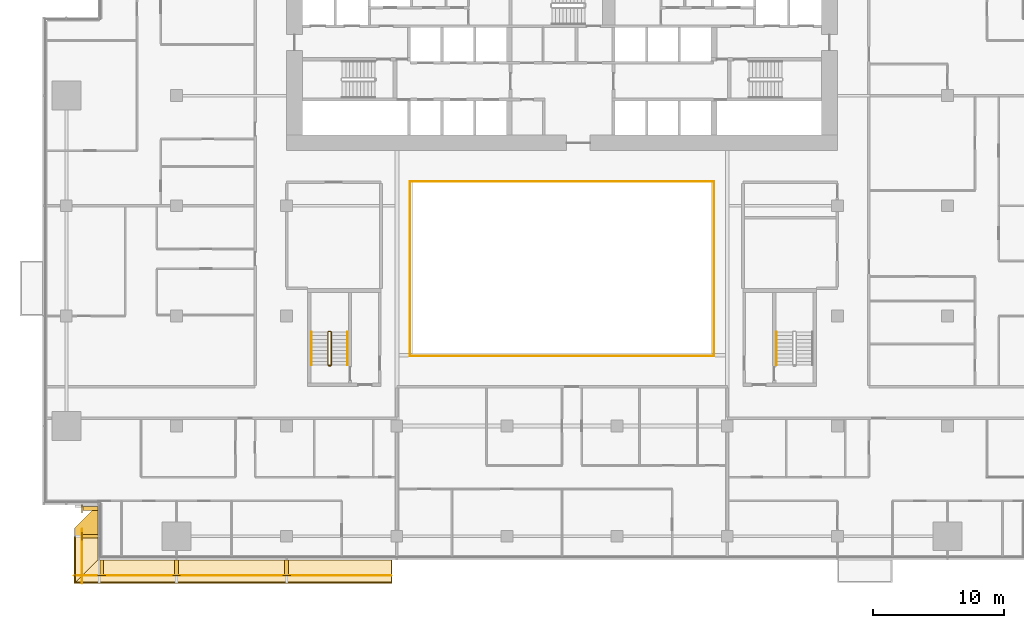
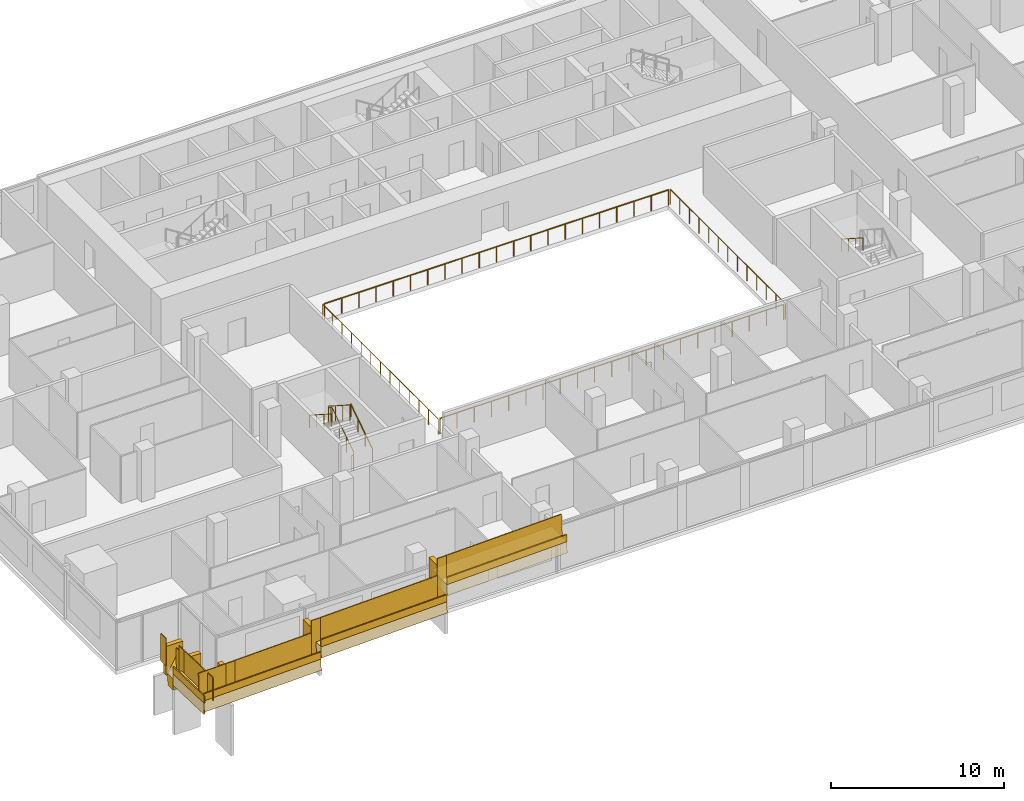
# One storey, part 25 of 29: 18 railings, 14 coverings.
"""IFC4 building model written with IfcOpenShell, lengths in metres."""

from ifc_helpers import new_model, si_unit, direction, frame, origin, origin_2d, place, context, subcontext, project, spatial, polyline, rectangle, circle, outline, extrude, material, layer, layer_set, type_object, element, save


model = new_model("IFC4")

# Units and contexts
model_context = context("Model", 3, precision=1e-05, world=origin(), true_north=direction((0.0, 1.0)))
body_context = subcontext(model_context, "Body", "Model", "MODEL_VIEW")
ifc_project = project(units=[si_unit("LENGTHUNIT", "METRE"), si_unit("AREAUNIT", "SQUARE_METRE"), si_unit("VOLUMEUNIT", "CUBIC_METRE"), si_unit("PLANEANGLEUNIT", "RADIAN"), si_unit("MASSUNIT", "GRAM", prefix="KILO")], contexts=[model_context])

# Site, building, storey
site_placement = place(None, origin())
site = spatial("IfcSite", under=ifc_project, at=site_placement, CompositionType="ELEMENT")
building_placement = place(site_placement, origin())
building = spatial("IfcBuilding", under=site, at=building_placement, Name="Saffron Gate Tower", CompositionType="ELEMENT")
storey_placement = place(building_placement, frame((0.0, 0.0, 58.800048828125)))
storey = spatial("IfcBuildingStorey", under=building, at=storey_placement, Name="L13", CompositionType="ELEMENT", Elevation=58.800048828125)

# Railings
ifc_material_1 = material(Name="Stainless steel and laminated glass", Category="steel")
railing_type_1 = type_object("IfcRailingType", Name="AG1 Atrium edge guard 1100", PredefinedType="GUARDRAIL", material=ifc_material_1)
railing_1_placement = place(storey_placement, frame((76.02001953125, 45.5400390625, 0.0)))
element("IfcRailing", 1, at=railing_1_placement, inside=storey, type_object=railing_type_1, Name="Guard A3-1", PredefinedType="GUARDRAIL", context=body_context, shape_type="SweptSolid", body=[
    extrude(circle(Radius=0.02392578125, at=origin_2d()), frame((0.0, 0.0, 1.076171875), z_axis=(0.0, 1.0, 0.0), x_axis=(-1.0, 0.0, 0.0)), (0.0, 0.0, 1.0), 13.320068359375),
    extrude(circle(Radius=0.02099609375, at=origin_2d()), origin(), (0.0, 0.0, 1.0), 1.052001953125),
    extrude(circle(Radius=0.02099609375, at=origin_2d()), frame((0.0, 1.110107421875, 0.0)), (0.0, 0.0, 1.0), 1.052001953125),
    extrude(circle(Radius=0.02099609375, at=origin_2d()), frame((0.0, 2.219970703125, 0.0)), (0.0, 0.0, 1.0), 1.052001953125),
    extrude(circle(Radius=0.02099609375, at=origin_2d()), frame((0.0, 3.330078125, 0.0)), (0.0, 0.0, 1.0), 1.052001953125),
    extrude(circle(Radius=0.02099609375, at=origin_2d()), frame((0.0, 4.43994140625, 0.0)), (0.0, 0.0, 1.0), 1.052001953125),
    extrude(circle(Radius=0.02099609375, at=origin_2d()), frame((0.0, 5.550048828125, 0.0)), (0.0, 0.0, 1.0), 1.052001953125),
    extrude(circle(Radius=0.02099609375, at=origin_2d()), frame((0.0, 6.66015625, 0.0)), (0.0, 0.0, 1.0), 1.052001953125),
    extrude(circle(Radius=0.02099609375, at=origin_2d()), frame((0.0, 7.77001953125, 0.0)), (0.0, 0.0, 1.0), 1.052001953125),
    extrude(circle(Radius=0.02099609375, at=origin_2d()), frame((0.0, 8.880126953125, 0.0)), (0.0, 0.0, 1.0), 1.052001953125),
    extrude(circle(Radius=0.02099609375, at=origin_2d()), frame((0.0, 9.989990234375, 0.0)), (0.0, 0.0, 1.0), 1.052001953125),
    extrude(circle(Radius=0.02099609375, at=origin_2d()), frame((0.0, 11.10009765625, 0.0)), (0.0, 0.0, 1.0), 1.052001953125),
    extrude(circle(Radius=0.02099609375, at=origin_2d()), frame((0.0, 12.2099609375, 0.0)), (0.0, 0.0, 1.0), 1.052001953125),
    extrude(circle(Radius=0.02099609375, at=origin_2d()), frame((0.0, 13.320068359375, 0.0)), (0.0, 0.0, 1.0), 1.052001953125),
])
railing_2_placement = place(storey_placement, frame((76.139892578125, 58.860107421875, 0.0)))
element("IfcRailing", 2, at=railing_2_placement, inside=storey, type_object=railing_type_1, Name="Guard A3-2", PredefinedType="GUARDRAIL", context=body_context, shape_type="SweptSolid", body=[
    extrude(circle(Radius=0.02392578125, at=origin_2d()), frame((0.0, 0.0, 1.076171875), z_axis=(1.0, 0.0, 0.0), x_axis=(0.0, 1.0, 0.0)), (0.0, 0.0, 1.0), 22.920166015625),
    extrude(circle(Radius=0.02099609375, at=origin_2d()), origin(), (0.0, 0.0, 1.0), 1.052001953125),
    extrude(circle(Radius=0.02099609375, at=origin_2d()), frame((1.14599609375, 0.0, 0.0)), (0.0, 0.0, 1.0), 1.052001953125),
    extrude(circle(Radius=0.02099609375, at=origin_2d()), frame((2.2919921875, 0.0, 0.0)), (0.0, 0.0, 1.0), 1.052001953125),
    extrude(circle(Radius=0.02099609375, at=origin_2d()), frame((3.43798828125, 0.0, 0.0)), (0.0, 0.0, 1.0), 1.052001953125),
    extrude(circle(Radius=0.02099609375, at=origin_2d()), frame((4.583984375, 0.0, 0.0)), (0.0, 0.0, 1.0), 1.052001953125),
    extrude(circle(Radius=0.02099609375, at=origin_2d()), frame((5.72998046875, 0.0, 0.0)), (0.0, 0.0, 1.0), 1.052001953125),
    extrude(circle(Radius=0.02099609375, at=origin_2d()), frame((6.8759765625, 0.0, 0.0)), (0.0, 0.0, 1.0), 1.052001953125),
    extrude(circle(Radius=0.02099609375, at=origin_2d()), frame((8.02197265625, 0.0, 0.0)), (0.0, 0.0, 1.0), 1.052001953125),
    extrude(circle(Radius=0.02099609375, at=origin_2d()), frame((9.16796875, 0.0, 0.0)), (0.0, 0.0, 1.0), 1.052001953125),
    extrude(circle(Radius=0.02099609375, at=origin_2d()), frame((10.31396484375, 0.0, 0.0)), (0.0, 0.0, 1.0), 1.052001953125),
    extrude(circle(Radius=0.02099609375, at=origin_2d()), frame((11.4599609375, 0.0, 0.0)), (0.0, 0.0, 1.0), 1.052001953125),
    extrude(circle(Radius=0.02099609375, at=origin_2d()), frame((12.606201171875, 0.0, 0.0)), (0.0, 0.0, 1.0), 1.052001953125),
    extrude(circle(Radius=0.02099609375, at=origin_2d()), frame((13.752197265625, 0.0, 0.0)), (0.0, 0.0, 1.0), 1.052001953125),
    extrude(circle(Radius=0.02099609375, at=origin_2d()), frame((14.898193359375, 0.0, 0.0)), (0.0, 0.0, 1.0), 1.052001953125),
    extrude(circle(Radius=0.02099609375, at=origin_2d()), frame((16.044189453125, 0.0, 0.0)), (0.0, 0.0, 1.0), 1.052001953125),
    extrude(circle(Radius=0.02099609375, at=origin_2d()), frame((17.190185546875, 0.0, 0.0)), (0.0, 0.0, 1.0), 1.052001953125),
    extrude(circle(Radius=0.02099609375, at=origin_2d()), frame((18.336181640625, 0.0, 0.0)), (0.0, 0.0, 1.0), 1.052001953125),
    extrude(circle(Radius=0.02099609375, at=origin_2d()), frame((19.482177734375, 0.0, 0.0)), (0.0, 0.0, 1.0), 1.052001953125),
    extrude(circle(Radius=0.02099609375, at=origin_2d()), frame((20.628173828125, 0.0, 0.0)), (0.0, 0.0, 1.0), 1.052001953125),
    extrude(circle(Radius=0.02099609375, at=origin_2d()), frame((21.774169921875, 0.0, 0.0)), (0.0, 0.0, 1.0), 1.052001953125),
    extrude(circle(Radius=0.02099609375, at=origin_2d()), frame((22.920166015625, 0.0, 0.0)), (0.0, 0.0, 1.0), 1.052001953125),
])
railing_3_placement = place(storey_placement, frame((99.179931640625, 58.860107421875, 0.0)))
element("IfcRailing", 3, at=railing_3_placement, inside=storey, type_object=railing_type_1, Name="Guard A3-3", PredefinedType="GUARDRAIL", context=body_context, shape_type="SweptSolid", body=[
    extrude(circle(Radius=0.02392578125, at=origin_2d()), frame((0.0, 0.0, 1.076171875), z_axis=(0.0, -1.0, 0.0), x_axis=(1.0, 0.0, 0.0)), (0.0, 0.0, 1.0), 13.320068359375),
    extrude(circle(Radius=0.02099609375, at=origin_2d()), origin(), (0.0, 0.0, 1.0), 1.052001953125),
    extrude(circle(Radius=0.02099609375, at=origin_2d()), frame((0.0, -1.110107421875, 0.0)), (0.0, 0.0, 1.0), 1.052001953125),
    extrude(circle(Radius=0.02099609375, at=origin_2d()), frame((0.0, -2.219970703125, 0.0)), (0.0, 0.0, 1.0), 1.052001953125),
    extrude(circle(Radius=0.02099609375, at=origin_2d()), frame((0.0, -3.330078125, 0.0)), (0.0, 0.0, 1.0), 1.052001953125),
    extrude(circle(Radius=0.02099609375, at=origin_2d()), frame((0.0, -4.43994140625, 0.0)), (0.0, 0.0, 1.0), 1.052001953125),
    extrude(circle(Radius=0.02099609375, at=origin_2d()), frame((0.0, -5.550048828125, 0.0)), (0.0, 0.0, 1.0), 1.052001953125),
    extrude(circle(Radius=0.02099609375, at=origin_2d()), frame((0.0, -6.66015625, 0.0)), (0.0, 0.0, 1.0), 1.052001953125),
    extrude(circle(Radius=0.02099609375, at=origin_2d()), frame((0.0, -7.77001953125, 0.0)), (0.0, 0.0, 1.0), 1.052001953125),
    extrude(circle(Radius=0.02099609375, at=origin_2d()), frame((0.0, -8.880126953125, 0.0)), (0.0, 0.0, 1.0), 1.052001953125),
    extrude(circle(Radius=0.02099609375, at=origin_2d()), frame((0.0, -9.989990234375, 0.0)), (0.0, 0.0, 1.0), 1.052001953125),
    extrude(circle(Radius=0.02099609375, at=origin_2d()), frame((0.0, -11.10009765625, 0.0)), (0.0, 0.0, 1.0), 1.052001953125),
    extrude(circle(Radius=0.02099609375, at=origin_2d()), frame((0.0, -12.2099609375, 0.0)), (0.0, 0.0, 1.0), 1.052001953125),
    extrude(circle(Radius=0.02099609375, at=origin_2d()), frame((0.0, -13.320068359375, 0.0)), (0.0, 0.0, 1.0), 1.052001953125),
])
railing_4_placement = place(storey_placement, frame((99.06005859375, 45.5400390625, 0.0)))
element("IfcRailing", 4, at=railing_4_placement, inside=storey, type_object=railing_type_1, Name="Guard A3-4", PredefinedType="GUARDRAIL", context=body_context, shape_type="SweptSolid", body=[
    extrude(circle(Radius=0.02392578125, at=origin_2d()), frame((0.0, 0.0, 1.076171875), z_axis=(-1.0, 0.0, 0.0), x_axis=(0.0, -1.0, 0.0)), (0.0, 0.0, 1.0), 22.920166015625),
    extrude(circle(Radius=0.02099609375, at=origin_2d()), origin(), (0.0, 0.0, 1.0), 1.052001953125),
    extrude(circle(Radius=0.02099609375, at=origin_2d()), frame((-1.14599609375, 0.0, 0.0)), (0.0, 0.0, 1.0), 1.052001953125),
    extrude(circle(Radius=0.02099609375, at=origin_2d()), frame((-2.2919921875, 0.0, 0.0)), (0.0, 0.0, 1.0), 1.052001953125),
    extrude(circle(Radius=0.02099609375, at=origin_2d()), frame((-3.43798828125, 0.0, 0.0)), (0.0, 0.0, 1.0), 1.052001953125),
    extrude(circle(Radius=0.02099609375, at=origin_2d()), frame((-4.583984375, 0.0, 0.0)), (0.0, 0.0, 1.0), 1.052001953125),
    extrude(circle(Radius=0.02099609375, at=origin_2d()), frame((-5.72998046875, 0.0, 0.0)), (0.0, 0.0, 1.0), 1.052001953125),
    extrude(circle(Radius=0.02099609375, at=origin_2d()), frame((-6.8759765625, 0.0, 0.0)), (0.0, 0.0, 1.0), 1.052001953125),
    extrude(circle(Radius=0.02099609375, at=origin_2d()), frame((-8.02197265625, 0.0, 0.0)), (0.0, 0.0, 1.0), 1.052001953125),
    extrude(circle(Radius=0.02099609375, at=origin_2d()), frame((-9.16796875, 0.0, 0.0)), (0.0, 0.0, 1.0), 1.052001953125),
    extrude(circle(Radius=0.02099609375, at=origin_2d()), frame((-10.31396484375, 0.0, 0.0)), (0.0, 0.0, 1.0), 1.052001953125),
    extrude(circle(Radius=0.02099609375, at=origin_2d()), frame((-11.4599609375, 0.0, 0.0)), (0.0, 0.0, 1.0), 1.052001953125),
    extrude(circle(Radius=0.02099609375, at=origin_2d()), frame((-12.606201171875, 0.0, 0.0)), (0.0, 0.0, 1.0), 1.052001953125),
    extrude(circle(Radius=0.02099609375, at=origin_2d()), frame((-13.752197265625, 0.0, 0.0)), (0.0, 0.0, 1.0), 1.052001953125),
    extrude(circle(Radius=0.02099609375, at=origin_2d()), frame((-14.898193359375, 0.0, 0.0)), (0.0, 0.0, 1.0), 1.052001953125),
    extrude(circle(Radius=0.02099609375, at=origin_2d()), frame((-16.044189453125, 0.0, 0.0)), (0.0, 0.0, 1.0), 1.052001953125),
    extrude(circle(Radius=0.02099609375, at=origin_2d()), frame((-17.190185546875, 0.0, 0.0)), (0.0, 0.0, 1.0), 1.052001953125),
    extrude(circle(Radius=0.02099609375, at=origin_2d()), frame((-18.336181640625, 0.0, 0.0)), (0.0, 0.0, 1.0), 1.052001953125),
    extrude(circle(Radius=0.02099609375, at=origin_2d()), frame((-19.482177734375, 0.0, 0.0)), (0.0, 0.0, 1.0), 1.052001953125),
    extrude(circle(Radius=0.02099609375, at=origin_2d()), frame((-20.628173828125, 0.0, 0.0)), (0.0, 0.0, 1.0), 1.052001953125),
    extrude(circle(Radius=0.02099609375, at=origin_2d()), frame((-21.774169921875, 0.0, 0.0)), (0.0, 0.0, 1.0), 1.052001953125),
    extrude(circle(Radius=0.02099609375, at=origin_2d()), frame((-22.920166015625, 0.0, 0.0)), (0.0, 0.0, 1.0), 1.052001953125),
])
railing_type_2 = type_object("IfcRailingType", Name="CR1 Stair guard 1100", PredefinedType="GUARDRAIL", material=ifc_material_1)
railing_5_placement = place(storey_placement, frame((69.800048828125, 44.800048828125, 0.0)))
element("IfcRailing", 5, at=railing_5_placement, inside=storey, type_object=railing_type_2, Name="L13 ST-D stair guard 1", PredefinedType="GUARDRAIL", context=body_context, shape_type="SweptSolid", body=[
    extrude(circle(Radius=0.02392578125, at=origin_2d()), frame((0.0, 0.0, 1.076171875), z_axis=(1.0, 0.0, 0.0), x_axis=(0.0, 1.0, 0.0)), (0.0, 0.0, 1.0), 0.14990234375),
    extrude(circle(Radius=0.02392578125, at=origin_2d()), frame((0.14990234375, 0.0, 1.076171875), z_axis=(0.258847668887, 0.258847668887, 0.930588936439), x_axis=(-0.707106781187, 0.707106781187, 0.0)), (0.0, 0.0, 1.0), 0.193359375),
    extrude(circle(Radius=0.02392578125, at=origin_2d()), frame((0.199951171875, 0.050048828125, 1.255859375), z_axis=(0.0, 0.841162588446, 0.540782303519), x_axis=(-1.0, 0.0, 0.0)), (0.0, 0.0, 1.0), 2.995849609375),
    extrude(circle(Radius=0.02392578125, at=origin_2d()), frame((0.199951171875, 2.570068359375, 2.8759765625), z_axis=(-0.708833529934, 0.705375805398, 0.0), x_axis=(-0.705375805398, -0.708833529934, 0.0)), (0.0, 0.0, 1.0), 0.070556640625),
    extrude(circle(Radius=0.02392578125, at=origin_2d()), frame((0.14990234375, 2.619873046875, 2.8759765625), z_axis=(-1.0, 0.0, 0.0), x_axis=(0.0, -1.0, 0.0)), (0.0, 0.0, 1.0), 0.14990234375),
    extrude(circle(Radius=0.02392578125, at=origin_2d()), frame((0.0, 2.619873046875, 2.8759765625), z_axis=(-0.258932105505, -0.257669022063, 0.930892496375), x_axis=(0.705375805398, -0.708833529934, 0.0)), (0.0, 0.0, 1.0), 0.193359375),
    extrude(circle(Radius=0.02392578125, at=origin_2d()), frame((-0.050048828125, 2.570068359375, 3.05615234375), z_axis=(0.0, -0.841199657755, 0.540724639528), x_axis=(1.0, 0.0, 0.0)), (0.0, 0.0, 1.0), 2.995849609375),
    extrude(circle(Radius=0.02099609375, at=origin_2d()), origin(), (0.0, 0.0, 1.0), 1.052001953125),
    extrude(circle(Radius=0.02099609375, at=origin_2d()), frame((0.14990234375, 0.0, 0.0)), (0.0, 0.0, 1.0), 1.052001953125),
    extrude(circle(Radius=0.02099609375, at=origin_2d()), frame((0.199951171875, 0.050048828125, 0.179931640625)), (0.0, 0.0, 1.0), 1.052001953125),
    extrude(circle(Radius=0.02099609375, at=origin_2d()), frame((0.199951171875, 0.89013671875, 0.719970703125)), (0.0, 0.0, 1.0), 1.052001953125),
    extrude(circle(Radius=0.02099609375, at=origin_2d()), frame((0.199951171875, 1.72998046875, 1.260009765625)), (0.0, 0.0, 1.0), 1.052001953125),
    extrude(circle(Radius=0.02099609375, at=origin_2d()), frame((0.199951171875, 2.570068359375, 1.800048828125)), (0.0, 0.0, 1.0), 1.052001953125),
    extrude(circle(Radius=0.02099609375, at=origin_2d()), frame((0.14990234375, 2.619873046875, 1.800048828125)), (0.0, 0.0, 1.0), 1.052001953125),
    extrude(circle(Radius=0.02099609375, at=origin_2d()), frame((0.0, 2.619873046875, 1.800048828125)), (0.0, 0.0, 1.0), 1.052001953125),
    extrude(circle(Radius=0.02099609375, at=origin_2d()), frame((-0.050048828125, 2.570068359375, 1.97998046875)), (0.0, 0.0, 1.0), 1.052001953125),
    extrude(circle(Radius=0.02099609375, at=origin_2d()), frame((-0.050048828125, 1.72998046875, 2.52001953125)), (0.0, 0.0, 1.0), 1.052001953125),
    extrude(circle(Radius=0.02099609375, at=origin_2d()), frame((-0.050048828125, 0.89013671875, 3.059814453125)), (0.0, 0.0, 1.0), 1.052001953125),
    extrude(circle(Radius=0.02099609375, at=origin_2d()), frame((-0.050048828125, 0.050048828125, 3.599853515625)), (0.0, 0.0, 1.0), 1.052001953125),
])
ifc_material_2 = material(Name="Stainless steel", Category="steel")
railing_type_3 = type_object("IfcRailingType", Name="CR2 Stair handrail 900", PredefinedType="HANDRAIL", material=ifc_material_2)
railing_6_placement = place(storey_placement, frame((71.25, 44.85009765625, 0.179931640625)))
element("IfcRailing", 6, at=railing_6_placement, inside=storey, type_object=railing_type_3, Name="L13 ST-D stair handrail 1", PredefinedType="HANDRAIL", context=body_context, shape_type="SweptSolid", body=[
    extrude(circle(Radius=0.02392578125, at=origin_2d()), frame((0.0, 0.0, 0.8759765625), z_axis=(0.0, 0.841162588446, 0.540782303519), x_axis=(-1.0, 0.0, 0.0)), (0.0, 0.0, 1.0), 2.995849609375),
    extrude(circle(Radius=0.02099609375, at=origin_2d()), origin(), (0.0, 0.0, 1.0), 0.851806640625),
    extrude(circle(Radius=0.02099609375, at=origin_2d()), frame((0.0, 0.840087890625, 0.5400390625)), (0.0, 0.0, 1.0), 0.851806640625),
    extrude(circle(Radius=0.02099609375, at=origin_2d()), frame((0.0, 1.679931640625, 1.080078125)), (0.0, 0.0, 1.0), 0.851806640625),
    extrude(circle(Radius=0.02099609375, at=origin_2d()), frame((0.0, 2.52001953125, 1.6201171875)), (0.0, 0.0, 1.0), 0.851806640625),
])
for number, where, name in (
    (7, (68.5, 47.3701171875, 1.97998046875), "L13 ST-D stair handrail 2"),
    (8, (103.949951171875, 47.3701171875, 1.97998046875), "L13 ST-E stair handrail 2"),
):
    element("IfcRailing", number, at=place(storey_placement, frame(where)), inside=storey, type_object=railing_type_3, Name=name, PredefinedType="HANDRAIL", context=body_context, shape_type="SweptSolid", body=[
        extrude(circle(Radius=0.02392578125, at=origin_2d()), frame((0.0, 0.0, 0.8759765625), z_axis=(0.0, -0.841199657755, 0.540724639528), x_axis=(1.0, 0.0, 0.0)), (0.0, 0.0, 1.0), 2.995849609375),
        extrude(circle(Radius=0.02099609375, at=origin_2d()), origin(), (0.0, 0.0, 1.0), 0.851806640625),
        extrude(circle(Radius=0.02099609375, at=origin_2d()), frame((0.0, -0.840087890625, 0.5400390625)), (0.0, 0.0, 1.0), 0.851806640625),
        extrude(circle(Radius=0.02099609375, at=origin_2d()), frame((0.0, -1.679931640625, 1.079833984375)), (0.0, 0.0, 1.0), 0.851806640625),
        extrude(circle(Radius=0.02099609375, at=origin_2d()), frame((0.0, -2.52001953125, 1.619873046875)), (0.0, 0.0, 1.0), 0.851806640625),
    ])

# Coverings
ifc_material_3 = material(Name="Timber, thermally modified ash", Category="wood")
ifc_layer_1 = layer(ifc_material_3, 0.800048828125)
ifc_layer_set_1 = layer_set([ifc_layer_1], Name="LD1 ledge timber")
covering_type_1 = type_object("IfcCoveringType", Name="LD1 ledge timber", PredefinedType="CLADDING", material=ifc_layer_set_1)
covering_1_placement = place(storey_placement, frame((52.199951171875, 34.199951171875, 0.0078125), z_axis=(-2.8677152e-05, 0.028798988267, 0.999585222706), x_axis=(-6.17e-10, -0.999585223117, 0.028798988279)))
element("IfcCovering", 9, at=covering_1_placement, inside=storey, type_object=covering_type_1, Name="LEDGE", PredefinedType="CLADDING", context=body_context, shape_type="SweptSolid", body=[
    extrude(outline(polyline([(0.0, 0.0), (2.400896693585025, -4.235164736271502e-22), (2.400896694694882, -1.8000488273848385), (1.8007927832284332, -1.8000488292351673), (0.0, 0.0)])), origin(), (0.0, 0.0, -1.0), 0.800048828125),
])
covering_2_placement = place(storey_placement, frame((52.199951171875, 31.800048828125, 0.419921875), z_axis=(4.5191264e-05, 0.028786835276, 0.999585572161), x_axis=(2.041e-09, -0.999585573182, 0.028786835305)))
element("IfcCovering", 10, at=covering_2_placement, inside=storey, type_object=covering_type_1, Name="LEDGE", PredefinedType="CLADDING", context=body_context, shape_type="SweptSolid", body=[
    extrude(outline(polyline([(0.0, 0.0), (1.8007927832406818, 0.0), (3.601592590842695, -1.8000488373153904), (-3.674631647332522e-09, -1.800048826286925), (0.0, 0.0)])), origin(), (0.0, 0.0, -1.0), 0.800048828125),
])
covering_3_placement = place(storey_placement, frame((52.199951171875, 30.0, 0.72900390625), z_axis=(-0.028807146299, -3.5027307e-05, 0.99958498743), x_axis=(0.999584988043, -3.68e-10, 0.028807146316)))
element("IfcCovering", 11, at=covering_3_placement, inside=storey, type_object=covering_type_1, Name="LEDGE", PredefinedType="CLADDING", context=body_context, shape_type="SweptSolid", body=[
    extrude(outline(polyline([(0.0, 0.0), (6.0024892885105, 2.541098841762901e-21), (6.002489289172793, -1.8000488270207489), (-1.800799813548424, -1.8000488321003227), (0.0, 0.0)])), origin(), (0.0, 0.0, -1.0), 0.800048828125),
])
covering_4_placement = place(storey_placement, frame((58.199951171875, 30.0, 1.75927734375), z_axis=(-0.028790339263, 0.0, 0.999585472266), x_axis=(0.999585472266, 0.0, 0.028790339263)))
element("IfcCovering", 12, at=covering_4_placement, inside=storey, type_object=covering_type_1, Name="LEDGE", PredefinedType="CLADDING", context=body_context, shape_type="SweptSolid", body=[
    extrude(outline(polyline([(0.0, 0.0), (8.403630022085892, 0.0), (8.403630022085892, -1.800048828125), (0.0, -1.800048828125), (0.0, 0.0)])), origin(), (0.0, 0.0, -1.0), 0.800048828125),
])
covering_5_placement = place(storey_placement, frame((66.60009765625, 30.0, 3.20166015625), z_axis=(-0.028766166889, 0.0, 0.999586168193), x_axis=(0.999586168193, 0.0, 0.028766166889)))
element("IfcCovering", 13, at=covering_5_placement, inside=storey, type_object=covering_type_1, Name="LEDGE", PredefinedType="CLADDING", context=body_context, shape_type="SweptSolid", body=[
    extrude(outline(polyline([(0.0, 0.0), (8.003312025078236, 0.0), (8.003312025078236, -1.800048828125), (0.0, -1.800048828125), (0.0, 0.0)])), origin(), (0.0, 0.0, -1.0), 0.800048828125),
])
ifc_layer_2 = layer(ifc_material_3, 0.080078125)
ifc_layer_set_2 = layer_set([ifc_layer_2], Name="LD2 ledge planter trough")
covering_type_2 = type_object("IfcCoveringType", Name="LD2 ledge planter trough", PredefinedType="CLADDING", material=ifc_layer_set_2)
covering_6_placement = place(storey_placement, frame((50.39990234375, 31.800048828125, 0.419921875), z_axis=(-1.0, 0.0, 0.0), x_axis=(0.0, -0.99958492274, 0.028809412191)))
element("IfcCovering", 14, at=covering_6_placement, inside=storey, type_object=covering_type_2, Name="LEDGE planter trough", PredefinedType="CLADDING", context=body_context, shape_type="SweptSolid", body=[
    extrude(outline(polyline([(0.0, 0.0), (3.601592595435983, 0.0), (3.6159973015313485, 0.4997924613700232), (0.014404706095365512, 0.4997924613700232), (0.0, 0.0)])), origin(), (0.0, 0.0, -1.0), 0.080078125),
])
covering_7_placement = place(storey_placement, frame((50.39990234375, 28.199951171875, 0.677001953125), z_axis=(0.0, -1.0, 0.0), x_axis=(0.999584755248, 0.0, 0.028815222999)))
element("IfcCovering", 15, at=covering_7_placement, inside=storey, type_object=covering_type_2, Name="LEDGE planter trough", PredefinedType="CLADDING", context=body_context, shape_type="SweptSolid", body=[
    extrude(outline(polyline([(0.0, 0.0), (7.803289102975944, 0.0), (7.8176967144752565, 0.4997923776238338), (0.014407611499312996, 0.4997923776238338), (0.0, 0.0)])), origin(), (0.0, 0.0, -1.0), 0.080078125),
])
covering_8_placement = place(storey_placement, frame((58.199951171875, 28.199951171875, 1.75927734375), z_axis=(0.0, -1.0, 0.0), x_axis=(0.999585472266, 0.0, 0.028790339263)))
element("IfcCovering", 16, at=covering_8_placement, inside=storey, type_object=covering_type_2, Name="LEDGE planter trough", PredefinedType="CLADDING", context=body_context, shape_type="SweptSolid", body=[
    extrude(outline(polyline([(0.0, 0.0), (8.403630022085892, 0.0), (8.418025191717298, 0.4997927361329725), (0.014395169631405694, 0.4997927361329725), (0.0, 0.0)])), origin(), (0.0, 0.0, -1.0), 0.080078125),
])
covering_9_placement = place(storey_placement, frame((66.60009765625, 28.199951171875, 3.20166015625), z_axis=(0.0, -1.0, 0.0), x_axis=(0.999586168193, 0.0, 0.028766166889)))
element("IfcCovering", 17, at=covering_9_placement, inside=storey, type_object=covering_type_2, Name="LEDGE planter trough", PredefinedType="CLADDING", context=body_context, shape_type="SweptSolid", body=[
    extrude(outline(polyline([(0.0, 0.0), (8.003312025078236, 0.0), (8.017695108522538, 0.4997930840964431), (0.014383083444303767, 0.4997930840964431), (0.0, 0.0)])), origin(), (0.0, 0.0, -1.0), 0.080078125),
])
ifc_layer_3 = layer(ifc_material_3, 0.300048828125)
ifc_layer_set_3 = layer_set([ifc_layer_3], Name="LD3 ledge riser fin")
covering_type_3 = type_object("IfcCoveringType", Name="LD3 ledge riser fin", PredefinedType="CLADDING", material=ifc_layer_set_3)
for number, where, z_axis, x_axis, name in (
    (18, (51.639892578125, 33.89990234375, -1.13525390625), (0.0, 0.0, 1.0), (0.0, -1.0, 0.0), "LEDGE riser fin"),
    (19, (51.639892578125, 31.800048828125, -0.72314453125), (0.0, 0.0, 1.0), (0.0, -1.0, 0.0), "LEDGE riser fin"),
):
    element("IfcCovering", number, at=place(storey_placement, frame(where, z_axis=z_axis, x_axis=x_axis)), inside=storey, type_object=covering_type_3, Name=name, PredefinedType="CLADDING", context=body_context, shape_type="SweptSolid", body=[
        extrude(rectangle(XDim=0.300048828125, YDim=1.1201171875, at=origin_2d()), origin(), (0.0, 0.0, 1.0), 2.04296875),
    ])
covering_10_placement = place(storey_placement, frame((52.5, 29.43994140625, -0.328125), z_axis=(0.0, 0.0, 1.0), x_axis=(1.0, 0.0, 0.0)))
element("IfcCovering", 20, at=covering_10_placement, inside=storey, type_object=covering_type_3, Name="LEDGE riser fin", PredefinedType="CLADDING", context=body_context, shape_type="SweptSolid", body=[
    extrude(rectangle(XDim=0.300048828125, YDim=1.1201171875, at=origin_2d()), origin(), (0.0, 0.0, 1.0), 1.957275390625),
])
covering_11_placement = place(storey_placement, frame((58.199951171875, 29.43994140625, 0.10205078125), z_axis=(0.0, 0.0, 1.0), x_axis=(1.0, 0.0, 0.0)))
element("IfcCovering", 21, at=covering_11_placement, inside=storey, type_object=covering_type_3, Name="LEDGE riser fin", PredefinedType="CLADDING", context=body_context, shape_type="SweptSolid", body=[
    extrude(rectangle(XDim=0.300048828125, YDim=1.1201171875, at=origin_2d()), origin(), (0.0, 0.0, 1.0), 2.557373046875),
])
covering_12_placement = place(storey_placement, frame((66.60009765625, 29.43994140625, 1.201171875), z_axis=(0.0, 0.0, 1.0), x_axis=(1.0, 0.0, 0.0)))
element("IfcCovering", 22, at=covering_12_placement, inside=storey, type_object=covering_type_3, Name="LEDGE riser fin", PredefinedType="CLADDING", context=body_context, shape_type="SweptSolid", body=[
    extrude(rectangle(XDim=0.300048828125, YDim=1.1201171875, at=origin_2d()), origin(), (0.0, 0.0, 1.0), 2.900390625),
])

# Railings
railing_type_4 = type_object("IfcRailingType", Name="LG1 ledge balustrade", PredefinedType="BALUSTRADE", material=ifc_material_3)
railing_7_placement = place(storey_placement, frame((51.0, 32.39990234375, 0.0595703125)))
element("IfcRailing", 23, at=railing_7_placement, inside=storey, type_object=railing_type_4, Name="LEDGE BALUSTRADE", PredefinedType="BALUSTRADE", context=body_context, shape_type="SweptSolid", body=[
    extrude(rectangle(XDim=0.06005859375, YDim=1.60009765625, at=origin_2d()), frame((0.0, 0.0, 0.800048828125), z_axis=(0.0, -0.999582742162, 0.028884971385), x_axis=(1.0, 0.0, 0.0)), (0.0, 0.0, 1.0), 0.60009765625),
])
railing_8_placement = place(storey_placement, frame((51.0, 34.199951171875, -0.335205078125)))
element("IfcRailing", 24, at=railing_8_placement, inside=storey, type_object=railing_type_4, Name="LEDGE BALUSTRADE", PredefinedType="BALUSTRADE", context=body_context, shape_type="SweptSolid", body=[
    extrude(rectangle(XDim=0.06005859375, YDim=1.943115234375, at=origin_2d()), frame((0.0, 0.0, 0.9716796875), z_axis=(0.0, -1.0, 0.0), x_axis=(1.0, 0.0, 0.0)), (0.0, 0.0, 1.0), 0.599853515625),
])
railing_9_placement = place(storey_placement, frame((51.0, 31.800048828125, 0.419921875)))
element("IfcRailing", 25, at=railing_9_placement, inside=storey, type_object=railing_type_4, Name="LEDGE BALUSTRADE", PredefinedType="BALUSTRADE", context=body_context, shape_type="SweptSolid", body=[
    extrude(rectangle(XDim=0.06005859375, YDim=1.60009765625, at=origin_2d()), frame((0.0, 0.0, 0.800048828125), z_axis=(0.0, -0.99958492274, 0.028809412191), x_axis=(1.0, 0.0, 0.0)), (0.0, 0.0, 1.0), 3.6015625),
])
railing_10_placement = place(storey_placement, frame((51.0, 32.10009765625, 0.076904296875)))
element("IfcRailing", 26, at=railing_10_placement, inside=storey, type_object=railing_type_4, Name="LEDGE BALUSTRADE", PredefinedType="BALUSTRADE", context=body_context, shape_type="SweptSolid", body=[
    extrude(rectangle(XDim=0.06005859375, YDim=1.943115234375, at=origin_2d()), frame((0.0, 0.0, 0.9716796875), z_axis=(0.0, -1.0, 0.0), x_axis=(1.0, 0.0, 0.0)), (0.0, 0.0, 1.0), 0.60009765625),
])
railing_11_placement = place(storey_placement, frame((50.39990234375, 28.800048828125, 0.677001953125)))
element("IfcRailing", 27, at=railing_11_placement, inside=storey, type_object=railing_type_4, Name="LEDGE BALUSTRADE", PredefinedType="BALUSTRADE", context=body_context, shape_type="SweptSolid", body=[
    extrude(rectangle(XDim=0.06005859375, YDim=1.60009765625, at=origin_2d()), frame((0.0, 0.0, 0.800048828125), z_axis=(0.999584755248, 0.0, 0.028815222999), x_axis=(0.0, 1.0, 0.0)), (0.0, 0.0, 1.0), 7.80322265625),
])
railing_12_placement = place(storey_placement, frame((52.199951171875, 28.800048828125, 0.4716796875)))
element("IfcRailing", 28, at=railing_12_placement, inside=storey, type_object=railing_type_4, Name="LEDGE BALUSTRADE", PredefinedType="BALUSTRADE", context=body_context, shape_type="SweptSolid", body=[
    extrude(rectangle(XDim=0.06005859375, YDim=1.857177734375, at=origin_2d()), frame((0.0, 0.0, 0.9287109375), z_axis=(1.0, 0.0, 0.0), x_axis=(0.0, 1.0, 0.0)), (0.0, 0.0, 1.0), 0.60009765625),
])
railing_13_placement = place(storey_placement, frame((58.199951171875, 28.800048828125, 1.75927734375)))
element("IfcRailing", 29, at=railing_13_placement, inside=storey, type_object=railing_type_4, Name="LEDGE BALUSTRADE", PredefinedType="BALUSTRADE", context=body_context, shape_type="SweptSolid", body=[
    extrude(rectangle(XDim=0.06005859375, YDim=1.60009765625, at=origin_2d()), frame((0.0, 0.0, 0.800048828125), z_axis=(0.999585472266, 0.0, 0.028790339263), x_axis=(0.0, 1.0, 0.0)), (0.0, 0.0, 1.0), 8.403564453125),
])
railing_14_placement = place(storey_placement, frame((57.89990234375, 28.800048828125, 0.90185546875)))
element("IfcRailing", 30, at=railing_14_placement, inside=storey, type_object=railing_type_4, Name="LEDGE BALUSTRADE", PredefinedType="BALUSTRADE", context=body_context, shape_type="SweptSolid", body=[
    extrude(rectangle(XDim=0.06005859375, YDim=2.45751953125, at=origin_2d()), frame((0.0, 0.0, 1.228759765625), z_axis=(1.0, 0.0, 0.0), x_axis=(0.0, 1.0, 0.0)), (0.0, 0.0, 1.0), 0.60009765625),
])
railing_15_placement = place(storey_placement, frame((66.60009765625, 28.800048828125, 3.20166015625)))
element("IfcRailing", 31, at=railing_15_placement, inside=storey, type_object=railing_type_4, Name="LEDGE BALUSTRADE", PredefinedType="BALUSTRADE", context=body_context, shape_type="SweptSolid", body=[
    extrude(rectangle(XDim=0.06005859375, YDim=1.60009765625, at=origin_2d()), frame((0.0, 0.0, 0.800048828125), z_axis=(0.999586168193, 0.0, 0.028766166889), x_axis=(0.0, 1.0, 0.0)), (0.0, 0.0, 1.0), 8.00341796875),
])
railing_16_placement = place(storey_placement, frame((66.300048828125, 28.800048828125, 2.001220703125)))
element("IfcRailing", 32, at=railing_16_placement, inside=storey, type_object=railing_type_4, Name="LEDGE BALUSTRADE", PredefinedType="BALUSTRADE", context=body_context, shape_type="SweptSolid", body=[
    extrude(rectangle(XDim=0.06005859375, YDim=2.80029296875, at=origin_2d()), frame((0.0, 0.0, 1.400146484375), z_axis=(1.0, 0.0, 0.0), x_axis=(0.0, 1.0, 0.0)), (0.0, 0.0, 1.0), 0.599853515625),
])

save(model, "model.ifc")
